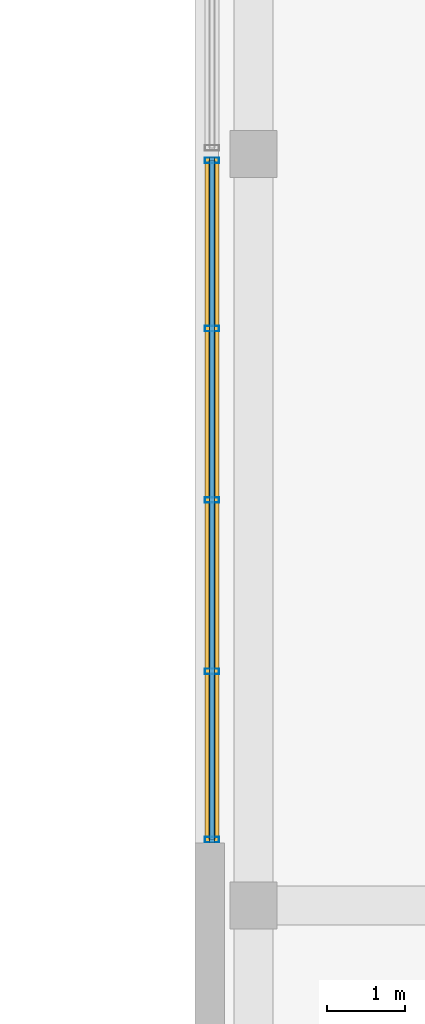
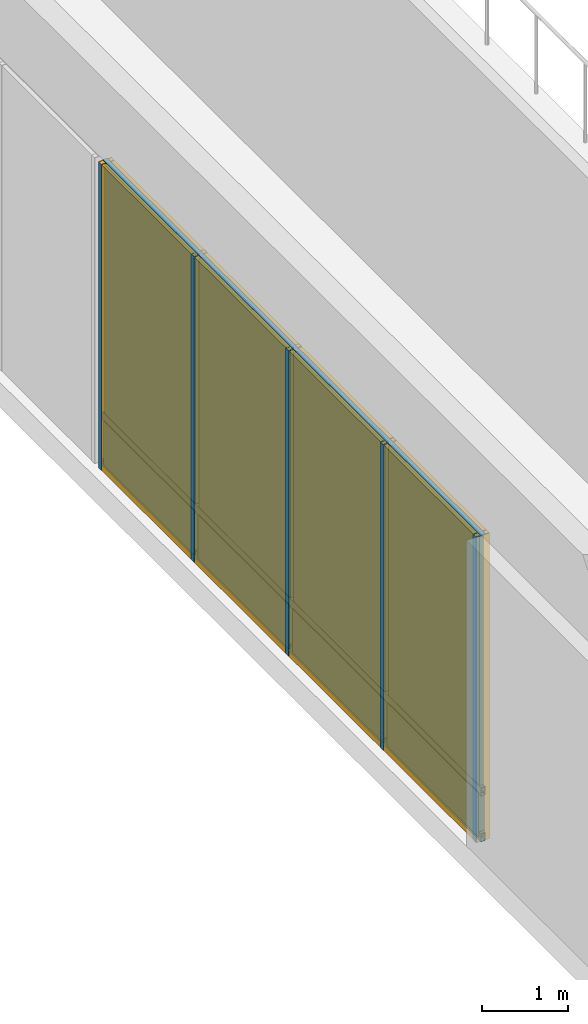
# One storey, part 15 of 21: 8 members, 8 plates, 1 curtain wall.
"""IFC4 building model written with IfcOpenShell, lengths in metres."""

from ifc_helpers import new_model, si_unit, direction, frame, frame_2d, origin, origin_2d, place, context, subcontext, project, spatial, rectangle, hollow_rectangle, extrude, material, layer, layer_set, material_profile, profile_set, type_object, element, aggregate, save


model = new_model("IFC4")

# Units and contexts
model_context = context("Model", 3, precision=1e-05, world=origin(), true_north=direction((0.0, 1.0)))
body_context = subcontext(model_context, "Body", "Model", "MODEL_VIEW")
ifc_project = project(units=[si_unit("LENGTHUNIT", "METRE"), si_unit("AREAUNIT", "SQUARE_METRE"), si_unit("VOLUMEUNIT", "CUBIC_METRE"), si_unit("PLANEANGLEUNIT", "RADIAN"), si_unit("MASSUNIT", "GRAM", prefix="KILO")], contexts=[model_context])

# Member
ifc_material_1 = material(Name="Anodized Aluminium 6063-T6", Category="aluminium")
ifc_material_profile_1 = material_profile(ifc_material_1, hollow_rectangle(XDim=0.070068359375, YDim=0.179931640625, WallThickness=0.00390625, at=origin_2d()), Name="Anodized Aluminium 6063-T6")
ifc_profile_set_1 = profile_set([ifc_material_profile_1], Name="Anodized Aluminium 6063-T6")
member_type_1 = type_object("IfcMemberType", Name="Curtain Wall Mullion 180", PredefinedType="MULLION", material=ifc_profile_set_1)
site_placement = place(None, origin())
building_placement = place(site_placement, origin())
storey_placement = place(building_placement, frame((0.0, 0.0, 19.60009765625)))
member_1_placement = place(storey_placement, frame((85.419921875, 20.0400390625, 0.0), z_axis=(0.0, 0.0, 1.0), x_axis=(0.0, 1.0, 0.0)))
member_1 = element("IfcMember", 1, at=member_1_placement, type_object=member_type_1, Name="Curtain Wall Mullion CW-L04-LREAD-1-M01", PredefinedType="MULLION", context=body_context, shape_type="SweptSolid", body=[
    extrude(hollow_rectangle(XDim=0.070068359375, YDim=0.179931640625, WallThickness=0.00390625, at=origin_2d()), origin(), (0.0, 0.0, 1.0), 4.31982421875),
])

member_2_placement = place(storey_placement, frame((85.419921875, 22.18994140625, 0.0), z_axis=(0.0, 0.0, 1.0), x_axis=(0.0, 1.0, 0.0)))
member_2 = element("IfcMember", 2, at=member_2_placement, type_object=member_type_1, Name="Curtain Wall Mullion CW-L04-LREAD-1-M02", PredefinedType="MULLION", context=body_context, shape_type="SweptSolid", body=[
    extrude(hollow_rectangle(XDim=0.070068359375, YDim=0.179931640625, WallThickness=0.00390625, at=origin_2d()), origin(), (0.0, 0.0, 1.0), 4.31982421875),
])

member_3_placement = place(storey_placement, frame((85.419921875, 24.3798828125, 0.0), z_axis=(0.0, 0.0, 1.0), x_axis=(0.0, 1.0, 0.0)))
member_3 = element("IfcMember", 3, at=member_3_placement, type_object=member_type_1, Name="Curtain Wall Mullion CW-L04-LREAD-1-M03", PredefinedType="MULLION", context=body_context, shape_type="SweptSolid", body=[
    extrude(hollow_rectangle(XDim=0.070068359375, YDim=0.179931640625, WallThickness=0.00390625, at=origin_2d()), origin(), (0.0, 0.0, 1.0), 4.31982421875),
])

member_4_placement = place(storey_placement, frame((85.419921875, 26.570068359375, 0.0), z_axis=(0.0, 0.0, 1.0), x_axis=(0.0, 1.0, 0.0)))
member_4 = element("IfcMember", 4, at=member_4_placement, type_object=member_type_1, Name="Curtain Wall Mullion CW-L04-LREAD-1-M04", PredefinedType="MULLION", context=body_context, shape_type="SweptSolid", body=[
    extrude(hollow_rectangle(XDim=0.070068359375, YDim=0.179931640625, WallThickness=0.00390625, at=origin_2d()), origin(), (0.0, 0.0, 1.0), 4.31982421875),
])

member_5_placement = place(storey_placement, frame((85.419921875, 28.719970703125, 0.0), z_axis=(0.0, 0.0, 1.0), x_axis=(0.0, 1.0, 0.0)))
member_5 = element("IfcMember", 5, at=member_5_placement, type_object=member_type_1, Name="Curtain Wall Mullion CW-L04-LREAD-1-M05", PredefinedType="MULLION", context=body_context, shape_type="SweptSolid", body=[
    extrude(hollow_rectangle(XDim=0.070068359375, YDim=0.179931640625, WallThickness=0.00390625, at=origin_2d()), origin(), (0.0, 0.0, 1.0), 4.31982421875),
])

ifc_material_profile_2 = material_profile(ifc_material_1, hollow_rectangle(XDim=0.06005859375, YDim=0.1201171875, WallThickness=0.00341796875, at=origin_2d()), Name="Anodized Aluminium 6063-T6")
ifc_profile_set_2 = profile_set([ifc_material_profile_2], Name="Anodized Aluminium 6063-T6")
member_type_2 = type_object("IfcMemberType", Name="Curtain Wall Transom 120", PredefinedType="USERDEFINED", material=ifc_profile_set_2)
member_6_placement = place(storey_placement, frame((85.419921875, 20.0, 0.0498046875), z_axis=(0.0, 1.0, 0.0), x_axis=(-1.0, 0.0, 0.0)))
member_6 = element("IfcMember", 6, at=member_6_placement, type_object=member_type_2, Name="Curtain Wall Transom CW-L04-LREAD-1-T01", ObjectType="TRANSOM", PredefinedType="USERDEFINED", context=body_context, shape_type="SweptSolid", body=[
    extrude(hollow_rectangle(XDim=0.06005859375, YDim=0.1201171875, WallThickness=0.00341796875, at=origin_2d()), origin(), (0.0, 0.0, 1.0), 8.760009765625),
])

member_7_placement = place(storey_placement, frame((85.419921875, 20.0, 0.699951171875), z_axis=(0.0, 1.0, 0.0), x_axis=(-1.0, 0.0, 0.0)))
member_7 = element("IfcMember", 7, at=member_7_placement, type_object=member_type_2, Name="Curtain Wall Transom CW-L04-LREAD-1-T02", ObjectType="TRANSOM", PredefinedType="USERDEFINED", context=body_context, shape_type="SweptSolid", body=[
    extrude(hollow_rectangle(XDim=0.06005859375, YDim=0.1201171875, WallThickness=0.00341796875, at=origin_2d()), origin(), (0.0, 0.0, 1.0), 8.760009765625),
])

member_8_placement = place(storey_placement, frame((85.419921875, 20.0, 4.27001953125), z_axis=(0.0, 1.0, 0.0), x_axis=(-1.0, 0.0, 0.0)))
member_8 = element("IfcMember", 8, at=member_8_placement, type_object=member_type_2, Name="Curtain Wall Transom CW-L04-LREAD-1-T03", ObjectType="TRANSOM", PredefinedType="USERDEFINED", context=body_context, shape_type="SweptSolid", body=[
    extrude(hollow_rectangle(XDim=0.06005859375, YDim=0.1201171875, WallThickness=0.00341796875, at=origin_2d()), origin(), (0.0, 0.0, 1.0), 8.760009765625),
])

# Plate
ifc_material_2 = material(Name="Bird-Friendly Fritted Triple Glazing", Category="glass")
ifc_layer_1 = layer(ifc_material_2, 0.052001953125, Name="Bird-Friendly Fritted Triple Glazing")
ifc_layer_set_1 = layer_set([ifc_layer_1], Name="Bird-Friendly Fritted Triple Glazing")
plate_type_1 = type_object("IfcPlateType", Name="Plate CWGlazing 52", PredefinedType="CURTAIN_PANEL", material=ifc_layer_set_1)
plate_1_placement = place(storey_placement, frame((85.419921875, 21.094970703125, 0.739990234375), z_axis=(0.0, 0.0, 1.0), x_axis=(0.0, 1.0, 0.0)))
plate_1 = element("IfcPlate", 9, at=plate_1_placement, type_object=plate_type_1, Name="Vision Glazing Panel CW-L04-LREAD-1-GL01", PredefinedType="CURTAIN_PANEL", context=body_context, shape_type="SweptSolid", body=[
    extrude(rectangle(XDim=2.110107421875, YDim=0.052001953125, at=origin_2d()), origin(), (0.0, 0.0, 1.0), 3.5400390625),
])

plate_2_placement = place(storey_placement, frame((85.419921875, 23.284912109375, 0.739990234375), z_axis=(0.0, 0.0, 1.0), x_axis=(0.0, 1.0, 0.0)))
plate_2 = element("IfcPlate", 10, at=plate_2_placement, type_object=plate_type_1, Name="Vision Glazing Panel CW-L04-LREAD-1-GL02", PredefinedType="CURTAIN_PANEL", context=body_context, shape_type="SweptSolid", body=[
    extrude(rectangle(XDim=2.110107421875, YDim=0.052001953125, at=origin_2d()), origin(), (0.0, 0.0, 1.0), 3.5400390625),
])

plate_3_placement = place(storey_placement, frame((85.419921875, 25.47509765625, 0.739990234375), z_axis=(0.0, 0.0, 1.0), x_axis=(0.0, 1.0, 0.0)))
plate_3 = element("IfcPlate", 11, at=plate_3_placement, type_object=plate_type_1, Name="Vision Glazing Panel CW-L04-LREAD-1-GL03", PredefinedType="CURTAIN_PANEL", context=body_context, shape_type="SweptSolid", body=[
    extrude(rectangle(XDim=2.110107421875, YDim=0.052001953125, at=origin_2d()), origin(), (0.0, 0.0, 1.0), 3.5400390625),
])

plate_4_placement = place(storey_placement, frame((85.419921875, 27.6650390625, 0.739990234375), z_axis=(0.0, 0.0, 1.0), x_axis=(0.0, 1.0, 0.0)))
plate_4 = element("IfcPlate", 12, at=plate_4_placement, type_object=plate_type_1, Name="Vision Glazing Panel CW-L04-LREAD-1-GL04", PredefinedType="CURTAIN_PANEL", context=body_context, shape_type="SweptSolid", body=[
    extrude(rectangle(XDim=2.110107421875, YDim=0.052001953125, at=origin_2d()), origin(), (0.0, 0.0, 1.0), 3.5400390625),
])

ifc_material_3 = material(Name="Insulated Aluminium Spandrel Panel", Category="aluminium")
ifc_layer_2 = layer(ifc_material_3, 0.080078125, Name="Insulated Aluminium Spandrel Panel")
ifc_layer_set_2 = layer_set([ifc_layer_2], Name="Insulated Aluminium Spandrel Panel")
plate_type_2 = type_object("IfcPlateType", Name="Plate CWSpandrel 80", PredefinedType="SHEET", material=ifc_layer_set_2)
plate_5_placement = place(storey_placement, frame((85.419921875, 21.094970703125, 0.039794921875), z_axis=(0.0, 0.0, 1.0), x_axis=(0.0, 1.0, 0.0)))
plate_5 = element("IfcPlate", 13, at=plate_5_placement, type_object=plate_type_2, Name="Spandrel Panel CW-L04-LREAD-1-SP01", PredefinedType="SHEET", context=body_context, shape_type="SweptSolid", body=[
    extrude(rectangle(XDim=2.110107421875, YDim=0.080078125, at=origin_2d()), origin(), (0.0, 0.0, 1.0), 0.6201171875),
])

plate_6_placement = place(storey_placement, frame((85.419921875, 23.284912109375, 0.039794921875), z_axis=(0.0, 0.0, 1.0), x_axis=(0.0, 1.0, 0.0)))
plate_6 = element("IfcPlate", 14, at=plate_6_placement, type_object=plate_type_2, Name="Spandrel Panel CW-L04-LREAD-1-SP02", PredefinedType="SHEET", context=body_context, shape_type="SweptSolid", body=[
    extrude(rectangle(XDim=2.110107421875, YDim=0.080078125, at=origin_2d()), origin(), (0.0, 0.0, 1.0), 0.6201171875),
])

plate_7_placement = place(storey_placement, frame((85.419921875, 25.47509765625, 0.039794921875), z_axis=(0.0, 0.0, 1.0), x_axis=(0.0, 1.0, 0.0)))
plate_7 = element("IfcPlate", 15, at=plate_7_placement, type_object=plate_type_2, Name="Spandrel Panel CW-L04-LREAD-1-SP03", PredefinedType="SHEET", context=body_context, shape_type="SweptSolid", body=[
    extrude(rectangle(XDim=2.110107421875, YDim=0.080078125, at=origin_2d()), origin(), (0.0, 0.0, 1.0), 0.6201171875),
])

plate_8_placement = place(storey_placement, frame((85.419921875, 27.6650390625, 0.039794921875), z_axis=(0.0, 0.0, 1.0), x_axis=(0.0, 1.0, 0.0)))
plate_8 = element("IfcPlate", 16, at=plate_8_placement, type_object=plate_type_2, Name="Spandrel Panel CW-L04-LREAD-1-SP04", PredefinedType="SHEET", context=body_context, shape_type="SweptSolid", body=[
    extrude(rectangle(XDim=2.110107421875, YDim=0.080078125, at=origin_2d()), origin(), (0.0, 0.0, 1.0), 0.6201171875),
])

# Site, building, storey
site = spatial("IfcSite", under=ifc_project, at=site_placement, CompositionType="ELEMENT")
building = spatial("IfcBuilding", under=site, at=building_placement, Name="Norrvale University Quadrangle", CompositionType="ELEMENT")
storey = spatial("IfcBuildingStorey", under=building, at=storey_placement, Name="L04", CompositionType="ELEMENT", Elevation=19.60009765625)

# Curtain wall
ifc_material_4 = material(Name="Anodized Aluminium and Triple Glazing", Category="glass")
curtain_wall_type = type_object("IfcCurtainWallType", Name="Curtain Wall System 4 Lib Reading", PredefinedType="NOTDEFINED", material=ifc_material_4)
curtain_wall_placement = place(storey_placement, frame((85.419921875, 20.0, 0.0), z_axis=(0.0, 0.0, 1.0), x_axis=(0.0, 1.0, 0.0)))
curtain_wall = element("IfcCurtainWall", 17, at=curtain_wall_placement, inside=storey, type_object=curtain_wall_type, Name="Curtain Wall CW System 4 Lib Reading CW-L04-LREAD-1", PredefinedType="NOTDEFINED", context=body_context, shape_type="SweptSolid", body=[
    extrude(rectangle(XDim=8.760009765625, YDim=0.175048828125, at=frame_2d((4.3798828125, 0.0))), origin(), (0.0, 0.0, 1.0), 4.31982421875),
])

aggregate(curtain_wall, [member_1, member_2, member_3, member_4, member_5, member_6, member_7, member_8, plate_5, plate_1, plate_6, plate_2, plate_7, plate_3, plate_8, plate_4])

save(model, "model.ifc")
